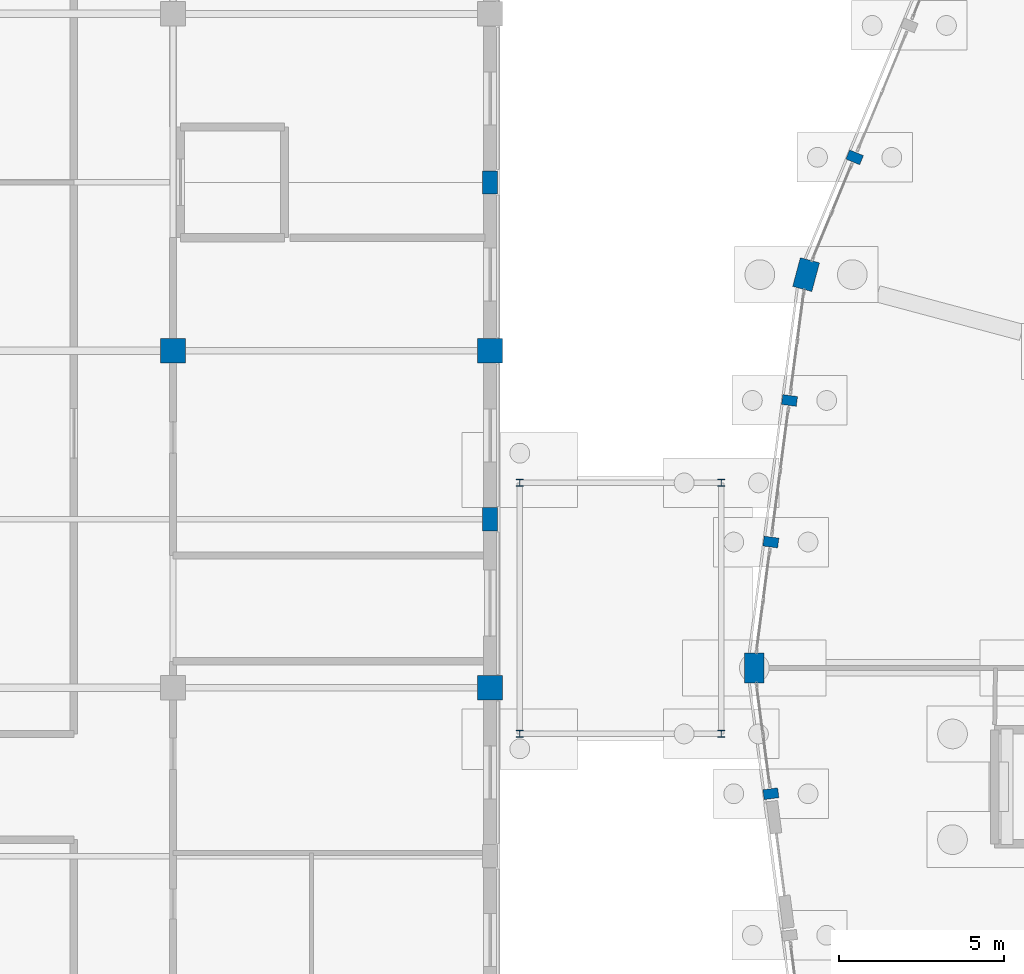
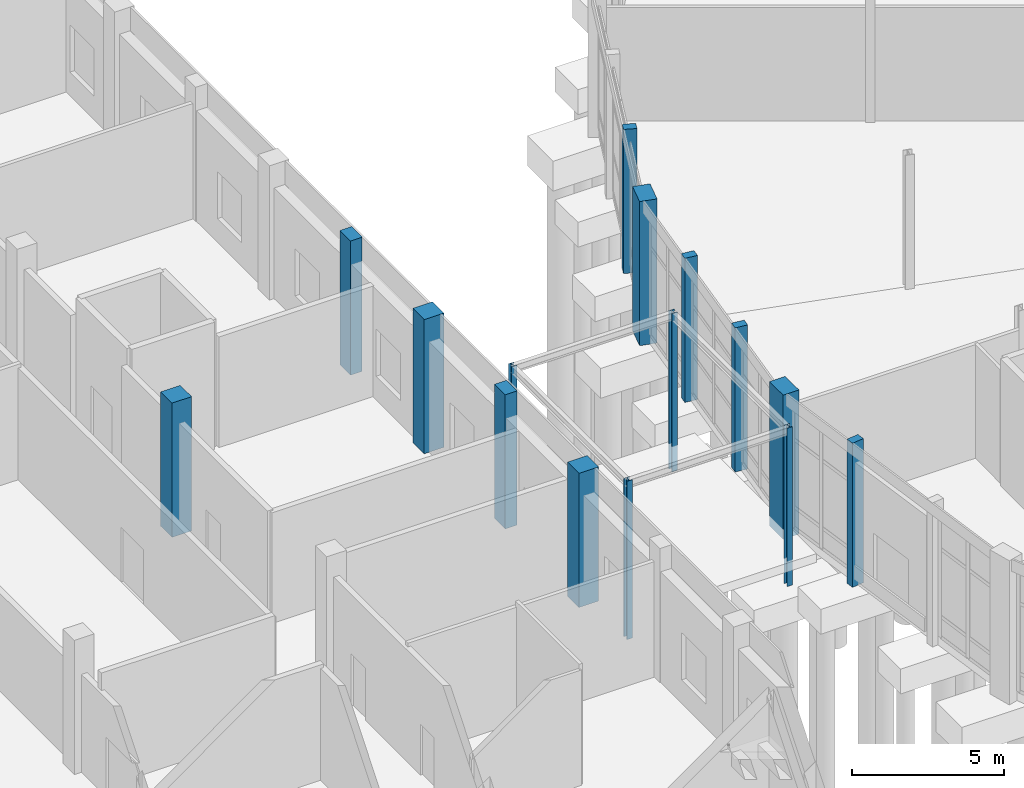
# One storey, part 13 of 137: 15 columns.
"""IFC4 building model written with IfcOpenShell, lengths in metres."""

from ifc_helpers import new_model, si_unit, direction, frame, origin, origin_2d, place, context, subcontext, project, spatial, rectangle, i_section, extrude, material, material_profile, profile_set, type_object, element, save


model = new_model("IFC4")

# Units and contexts
model_context = context("Model", 3, precision=1e-05, world=origin(), true_north=direction((0.0, 1.0)))
body_context = subcontext(model_context, "Body", "Model", "MODEL_VIEW")
ifc_project = project(units=[si_unit("LENGTHUNIT", "METRE"), si_unit("AREAUNIT", "SQUARE_METRE"), si_unit("VOLUMEUNIT", "CUBIC_METRE"), si_unit("PLANEANGLEUNIT", "RADIAN"), si_unit("MASSUNIT", "GRAM", prefix="KILO")], contexts=[model_context])

# Site, building, storey
site_placement = place(None, origin())
site = spatial("IfcSite", under=ifc_project, at=site_placement, CompositionType="ELEMENT")
building_placement = place(site_placement, origin())
building = spatial("IfcBuilding", under=site, at=building_placement, Name="Vondelvale Polytechnic", CompositionType="ELEMENT")
storey_placement = place(building_placement, origin())
storey = spatial("IfcBuildingStorey", under=building, at=storey_placement, Name="L00", CompositionType="ELEMENT", Elevation=0.0)

# Columns
ifc_material_1 = material(Name="Glulam GL18 structural Tasmanian oak (fb = 42 MPa)", Category="wood")
ifc_material_profile_1 = material_profile(ifc_material_1, rectangle(XDim=0.300048828125, YDim=0.449951171875, at=origin_2d()), Name="GL-POST-300x450")
ifc_profile_set_1 = profile_set([ifc_material_profile_1], Name="Glulam GL18 structural Tasmanian oak (fb = 42 MPa)")
column_type_1 = type_object("IfcColumnType", Name="COL-GLULAM-300x450", PredefinedType="PILASTER", material=ifc_profile_set_1)
for number, where, z_axis, x_axis, name in (
    (1, (59.037841796875, 87.455810546875, -0.39990234375), (0.0, 0.0, 1.0), (0.382683432365, 0.923879532511, 0.0), "L00 ring outer glulam timber post C10-P2"),
    (2, (57.06591796875, 80.095947265625, -0.39990234375), (0.0, 0.0, 1.0), (0.13052619222, 0.991444861374, 0.0), "L00 ring outer glulam timber post C11-P1"),
    (3, (56.501708984375, 75.809814453125, -0.39990234375), (0.0, 0.0, 1.0), (0.13052619222, 0.991444861374, 0.0), "L00 ring outer glulam timber post C11-P2"),
    (4, (56.501708984375, 68.190185546875, -0.39990234375), (0.0, 0.0, 1.0), (-0.13052619222, 0.991444861374, 0.0), "L00 ring outer glulam timber post C12-P1"),
):
    element("IfcColumn", number, at=place(storey_placement, frame(where, z_axis=z_axis, x_axis=x_axis)), inside=storey, type_object=column_type_1, Name=name, PredefinedType="PILASTER", context=body_context, shape_type="SweptSolid", body=[
        extrude(rectangle(XDim=0.300048828125, YDim=0.449951171875, at=origin_2d()), origin(), (0.0, 0.0, 1.0), 5.7998046875),
    ])
ifc_material_2 = material(Name="Concrete N50 (f'c = 50 MPa)", Category="concrete")
ifc_material_profile_2 = material_profile(ifc_material_2, rectangle(XDim=0.75, YDim=0.75, at=origin_2d()), Name="RC-COL-750x750")
ifc_profile_set_2 = profile_set([ifc_material_profile_2], Name="Concrete N50 (f'c = 50 MPa)")
column_type_2 = type_object("IfcColumnType", Name="COL-RC750", PredefinedType="COLUMN", material=ifc_profile_set_2)
for number, where, z_axis, x_axis, name in (
    (5, (48.0, 71.39990234375, 0.0), (0.0, 0.0, 1.0), (1.0, 0.0, 0.0), "L00 workshop column (48.0,71.4)"),
    (6, (38.39990234375, 81.60009765625, 0.0), (0.0, 0.0, 1.0), (1.0, 0.0, 0.0), "L00 workshop column (38.4,81.6)"),
    (7, (48.0, 81.60009765625, 0.0), (0.0, 0.0, 1.0), (1.0, 0.0, 0.0), "L00 workshop column (48.0,81.6)"),
):
    element("IfcColumn", number, at=place(storey_placement, frame(where, z_axis=z_axis, x_axis=x_axis)), inside=storey, type_object=column_type_2, Name=name, PredefinedType="COLUMN", context=body_context, shape_type="SweptSolid", body=[
        extrude(rectangle(XDim=0.75, YDim=0.75, at=origin_2d()), origin(), (0.0, 0.0, 1.0), 5.39990234375),
    ])
ifc_material_profile_3 = material_profile(ifc_material_2, rectangle(XDim=0.60009765625, YDim=0.89990234375, at=origin_2d()), Name="RC-COL-900x600")
ifc_profile_set_3 = profile_set([ifc_material_profile_3], Name="Concrete N50 (f'c = 50 MPa)")
column_type_3 = type_object("IfcColumnType", Name="COL-RC900x600", PredefinedType="COLUMN", material=ifc_profile_set_3)
for number, where, z_axis, x_axis, name in (
    (8, (57.5673828125, 83.90576171875, -0.39990234375), (0.0, 0.0, 1.0), (-0.965925826289, 0.258819045103, 0.0), "L00 courtyard ring column S11-RO"),
    (9, (56.0, 72.0, -0.39990234375), (0.0, 0.0, 1.0), (1.0, 0.0, 0.0), "L00 courtyard ring column S12-RO"),
):
    element("IfcColumn", number, at=place(storey_placement, frame(where, z_axis=z_axis, x_axis=x_axis)), inside=storey, type_object=column_type_3, Name=name, PredefinedType="COLUMN", context=body_context, shape_type="SweptSolid", body=[
        extrude(rectangle(XDim=0.60009765625, YDim=0.89990234375, at=origin_2d()), origin(), (0.0, 0.0, 1.0), 5.7998046875),
    ])
ifc_material_3 = material(Name="Steel 300PLUS (fy = 300 MPa)", Category="steel")
ifc_material_profile_4 = material_profile(ifc_material_3, i_section(OverallWidth=0.205078125, OverallDepth=0.2099609375, WebThickness=0.00927734375, FlangeThickness=0.01416015625, FilletRadius=0.011474609375, at=origin_2d()), Name="200UC59.5")
ifc_profile_set_4 = profile_set([ifc_material_profile_4], Name="Steel 300PLUS (fy = 300 MPa)")
column_type_4 = type_object("IfcColumnType", Name="COL-UC200", PredefinedType="COLUMN", material=ifc_profile_set_4)
for number, where, z_axis, x_axis, name in (
    (10, (48.89990234375, 70.0, -1.02001953125), (0.0, 0.0, 1.0), (1.0, 0.0, 0.0), "L00 West passage canopy column (48.9,70.0)"),
    (11, (48.89990234375, 77.60009765625, -1.02001953125), (0.0, 0.0, 1.0), (1.0, 0.0, 0.0), "L00 West passage canopy column (48.9,77.6)"),
    (12, (55.0, 70.0, -1.02001953125), (0.0, 0.0, 1.0), (1.0, 0.0, 0.0), "L00 West passage canopy column (55.0,70.0)"),
    (13, (55.0, 77.60009765625, -1.02001953125), (0.0, 0.0, 1.0), (1.0, 0.0, 0.0), "L00 West passage canopy column (55.0,77.6)"),
):
    element("IfcColumn", number, at=place(storey_placement, frame(where, z_axis=z_axis, x_axis=x_axis)), inside=storey, type_object=column_type_4, Name=name, PredefinedType="COLUMN", context=body_context, shape_type="SweptSolid", body=[
        extrude(i_section(OverallWidth=0.205078125, OverallDepth=0.2099609375, WebThickness=0.00927734375, FlangeThickness=0.01416015625, FilletRadius=0.011474609375, at=origin_2d()), origin(), (0.0, 0.0, 1.0), 6.3701171875),
    ])
ifc_material_profile_5 = material_profile(ifc_material_2, rectangle(XDim=0.449951171875, YDim=0.699951171875, at=origin_2d()), Name="RC-PIL-700x450")
ifc_profile_set_5 = profile_set([ifc_material_profile_5], Name="Concrete N50 (f'c = 50 MPa)")
column_type_5 = type_object("IfcColumnType", Name="PIL-RC700x450", PredefinedType="PILASTER", material=ifc_profile_set_5)
for number, where, z_axis, x_axis, name in (
    (14, (48.0, 76.5, 0.0), (0.0, 0.0, 1.0), (1.0, 0.0, 0.0), "L00 East workshop brick pilaster 3"),
    (15, (48.0, 86.699951171875, 0.0), (0.0, 0.0, 1.0), (1.0, 0.0, 0.0), "L00 East workshop brick pilaster 4"),
):
    element("IfcColumn", number, at=place(storey_placement, frame(where, z_axis=z_axis, x_axis=x_axis)), inside=storey, type_object=column_type_5, Name=name, PredefinedType="PILASTER", context=body_context, shape_type="SweptSolid", body=[
        extrude(rectangle(XDim=0.449951171875, YDim=0.699951171875, at=origin_2d()), origin(), (0.0, 0.0, 1.0), 5.39990234375),
    ])

save(model, "model.ifc")
